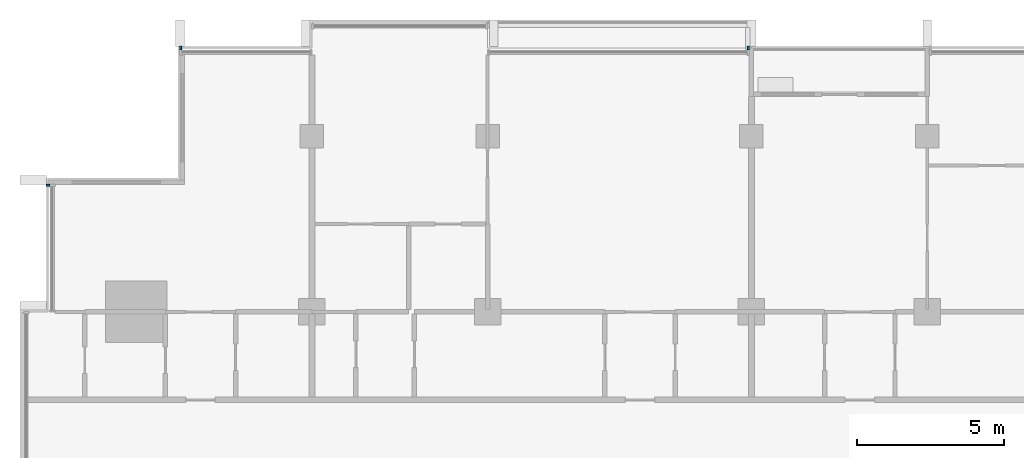
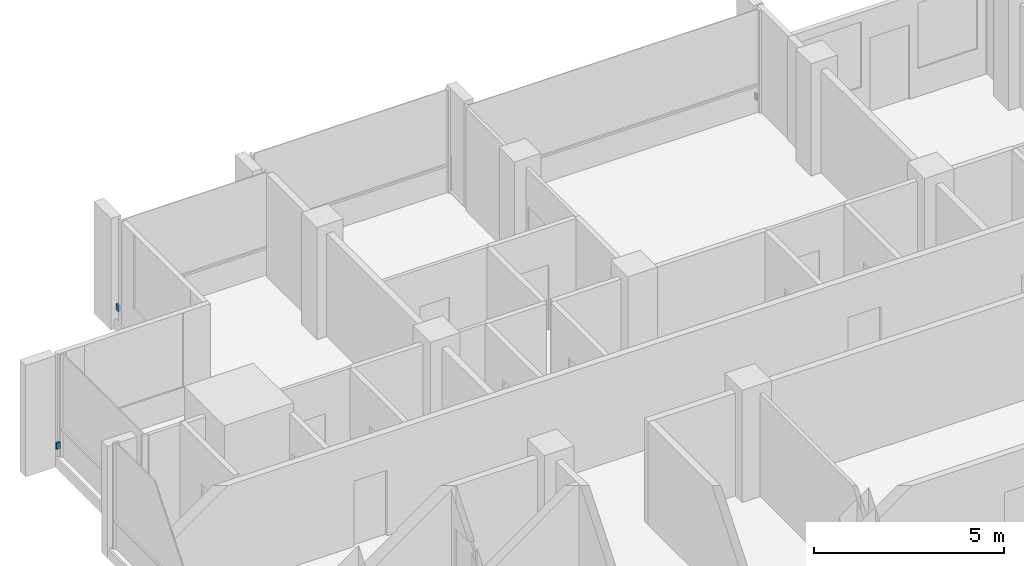
# One storey, part 14 of 16: 3 discrete accessories.
"""IFC4 building model written with IfcOpenShell, lengths in metres."""

from ifc_helpers import new_model, si_unit, direction, frame, origin, origin_2d, place, context, subcontext, project, spatial, rectangle, extrude, material, type_object, element, save


model = new_model("IFC4")

# Units and contexts
model_context = context("Model", 3, precision=1e-05, world=origin(), true_north=direction((0.0, 1.0)))
body_context = subcontext(model_context, "Body", "Model", "MODEL_VIEW")
ifc_project = project(units=[si_unit("LENGTHUNIT", "METRE"), si_unit("AREAUNIT", "SQUARE_METRE"), si_unit("VOLUMEUNIT", "CUBIC_METRE"), si_unit("PLANEANGLEUNIT", "RADIAN"), si_unit("MASSUNIT", "GRAM", prefix="KILO")], contexts=[model_context])

# Site, building, storey
site_placement = place(None, origin())
site = spatial("IfcSite", under=ifc_project, at=site_placement, CompositionType="ELEMENT")
building_placement = place(site_placement, origin())
building = spatial("IfcBuilding", under=site, at=building_placement, Name="Finial Court Residences", CompositionType="ELEMENT")
storey_placement = place(building_placement, frame((0.0, 0.0, 219.5)))
storey = spatial("IfcBuildingStorey", under=building, at=storey_placement, Name="L55", CompositionType="ELEMENT", Elevation=219.5)

# Discrete accessories
ifc_material = material(Name="Stainless steel 316", Category="steel")
discrete_accessory_type = type_object("IfcDiscreteAccessoryType", Name="Fin bracket, stainless steel 60 x 122 x 200", PredefinedType="BRACKET", material=ifc_material)
for number, where, z_axis, x_axis, name in (
    (1, (-14.969970703125, 16.498779296875, 0.2998046875), (0.0, 0.0, 1.0), (1.0, 0.0, 0.0), "E-L55-FIN-N1-BRK"),
    (2, (4.39501953125, 16.498779296875, 0.2998046875), (0.0, 0.0, 1.0), (1.0, 0.0, 0.0), "E-L55-FIN-N4-BRK"),
):
    element("IfcDiscreteAccessory", number, at=place(storey_placement, frame(where, z_axis=z_axis, x_axis=x_axis)), inside=storey, type_object=discrete_accessory_type, Name=name, PredefinedType="BRACKET", context=body_context, shape_type="SweptSolid", body=[
        extrude(rectangle(XDim=0.06005859375, YDim=0.12255859375, at=origin_2d()), origin(), (0.0, 0.0, 1.0), 0.199951171875),
    ])
discrete_accessory_placement = place(storey_placement, frame((-19.498779296875, 11.820068359375, 0.2998046875), z_axis=(0.0, 0.0, 1.0), x_axis=(1.0, 0.0, 0.0)))
element("IfcDiscreteAccessory", 3, at=discrete_accessory_placement, inside=storey, type_object=discrete_accessory_type, Name="E-L55-FIN-W26-BRK", PredefinedType="BRACKET", context=body_context, shape_type="SweptSolid", body=[
    extrude(rectangle(XDim=0.12255859375, YDim=0.06005859375, at=origin_2d()), origin(), (0.0, 0.0, 1.0), 0.199951171875),
])

save(model, "model.ifc")
